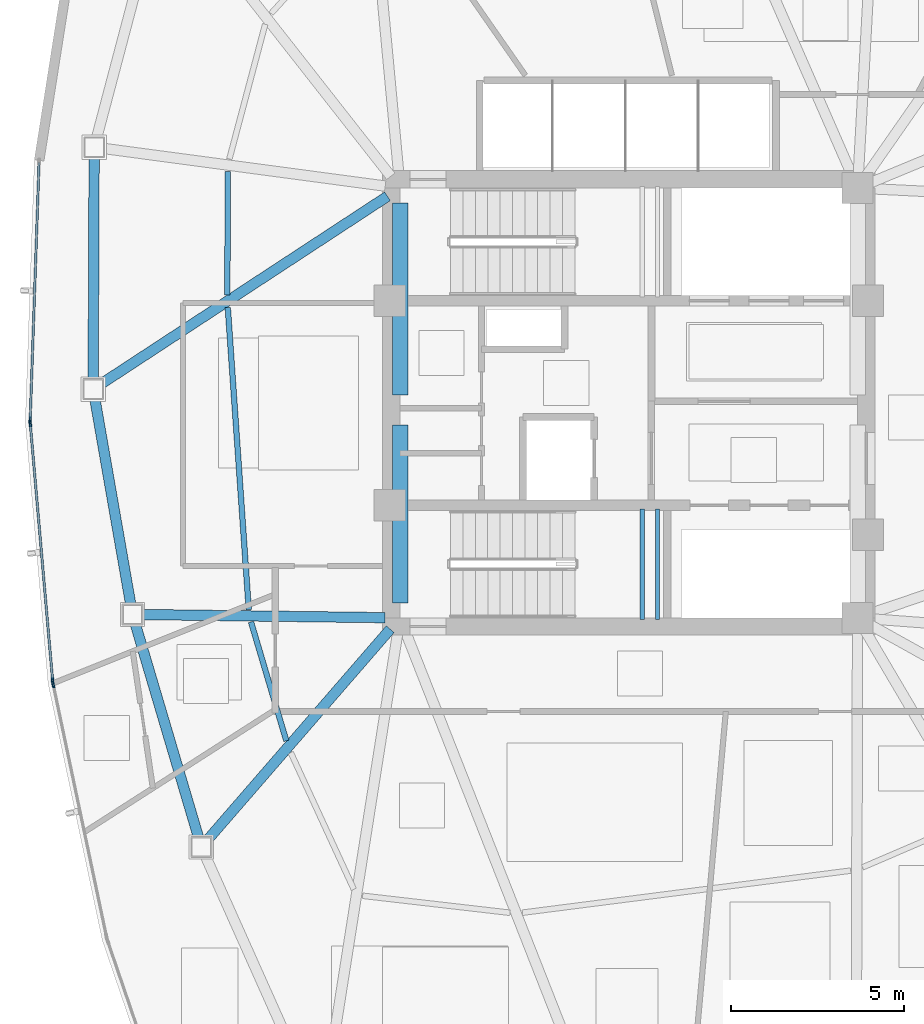
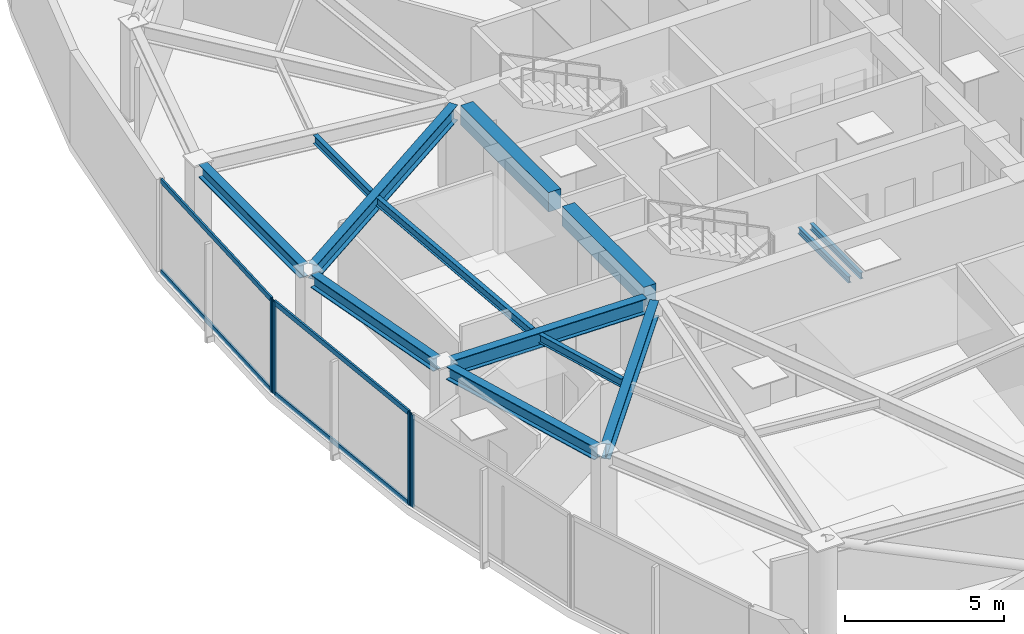
# One storey, part 4 of 17: 13 beams, 8 members, 3 elements without a shape of their own.
"""IFC4 building model written with IfcOpenShell, lengths in metres."""

from ifc_helpers import new_model, si_unit, direction, frame, origin, origin_2d, place, context, subcontext, project, spatial, rectangle, hollow_rectangle, i_section, extrude, source, transform, mapped, material, layer, layer_set, material_profile, profile_set, type_object, type_shapes, element, aggregate, save


model = new_model("IFC4")

# Units and contexts
model_context = context("Model", 3, precision=1e-05, world=origin(), true_north=direction((0.0, 1.0)))
body_context = subcontext(model_context, "Body", "Model", "MODEL_VIEW")
ifc_project = project(units=[si_unit("LENGTHUNIT", "METRE"), si_unit("AREAUNIT", "SQUARE_METRE"), si_unit("VOLUMEUNIT", "CUBIC_METRE"), si_unit("PLANEANGLEUNIT", "RADIAN"), si_unit("MASSUNIT", "GRAM", prefix="KILO")], contexts=[model_context])

# Site, building, storey
site_placement = place(None, origin())
site = spatial("IfcSite", under=ifc_project, at=site_placement, CompositionType="ELEMENT")
building_placement = place(site_placement, origin())
building = spatial("IfcBuilding", under=site, at=building_placement, Name="Tavelor Broadcast Tower", CompositionType="ELEMENT")
storey_placement = place(building_placement, frame((0.0, 0.0, 165.64990234375)))
storey = spatial("IfcBuildingStorey", under=building, at=storey_placement, Name="L39", CompositionType="ELEMENT", Elevation=165.64990234375)

# Beams
ifc_material_1 = material(Name="Concrete C40/50", Category="concrete")
ifc_material_profile_1 = material_profile(ifc_material_1, rectangle(XDim=0.449951171875, YDim=0.75, at=origin_2d()), Name="RC 450x750")
ifc_profile_set_1 = profile_set([ifc_material_profile_1], Name="Concrete C40/50")
beam_type_1 = type_object("IfcBeamType", Name="Basement Core Trim Beam 450x750", PredefinedType="BEAM", material=ifc_profile_set_1)
beam_1_placement = place(storey_placement, frame((43.39990234375, 45.23193359375, 3.175048828125), z_axis=(0.0, 1.0, 0.0), x_axis=(-1.0, 0.0, 0.0)))
element("IfcBeam", 1, at=beam_1_placement, inside=storey, type_object=beam_type_1, Name="L39 Core West-N Tie Girder", PredefinedType="BEAM", context=body_context, shape_type="SweptSolid", body=[
    extrude(rectangle(XDim=0.449951171875, YDim=0.75, at=origin_2d()), origin(), (0.0, 0.0, 1.0), 5.5361328125),
])
beam_2_placement = place(storey_placement, frame((43.39990234375, 39.23193359375, 3.175048828125), z_axis=(0.0, 1.0, 0.0), x_axis=(-1.0, 0.0, 0.0)))
element("IfcBeam", 2, at=beam_2_placement, inside=storey, type_object=beam_type_1, Name="L39 Core West-S Tie Girder", PredefinedType="BEAM", context=body_context, shape_type="SweptSolid", body=[
    extrude(rectangle(XDim=0.449951171875, YDim=0.75, at=origin_2d()), origin(), (0.0, 0.0, 1.0), 5.135986328125),
])
ifc_material_2 = material(Name="Steel S355", Category="steel")
ifc_material_profile_2 = material_profile(ifc_material_2, i_section(OverallWidth=0.159912109375, OverallDepth=0.330078125, WebThickness=0.007568359375, FlangeThickness=0.011474609375, at=origin_2d()), Name="IPE 330")
ifc_profile_set_2 = profile_set([ifc_material_profile_2], Name="Steel S355")
beam_type_2 = type_object("IfcBeamType", Name="Composite Floor Joist T4 IPE 330", PredefinedType="JOIST", material=ifc_profile_set_2)
beam_3_placement = place(storey_placement, frame((38.428955078125, 51.68310546875, 3.385009765625), z_axis=(-0.002943579799, -0.99999566766, 0.0), x_axis=(0.99999566766, -0.002943579799, 0.0)))
element("IfcBeam", 3, at=beam_3_placement, inside=storey, type_object=beam_type_2, Name="L39 Secondary Composite Floor Joist 03", PredefinedType="JOIST", context=body_context, shape_type="SweptSolid", body=[
    extrude(i_section(OverallWidth=0.159912109375, OverallDepth=0.330078125, WebThickness=0.007568359375, FlangeThickness=0.011474609375, at=origin_2d()), origin(), (0.0, 0.0, 1.0), 3.56640625),
])
beam_4_placement = place(storey_placement, frame((38.430419921875, 47.755126953125, 3.385009765625), z_axis=(0.069281460066, -0.997597152808, 0.0), x_axis=(0.997597152808, 0.069281460066, 0.0)))
element("IfcBeam", 4, at=beam_4_placement, inside=storey, type_object=beam_type_2, Name="L39 Secondary Composite Floor Joist 04", PredefinedType="JOIST", context=body_context, shape_type="SweptSolid", body=[
    extrude(i_section(OverallWidth=0.159912109375, OverallDepth=0.330078125, WebThickness=0.007568359375, FlangeThickness=0.011474609375, at=origin_2d()), origin(), (0.0, 0.0, 1.0), 8.7392578125),
])
beam_5_placement = place(storey_placement, frame((39.10009765625, 38.682861328125, 3.385009765625), z_axis=(0.284738295298, -0.958605290613, 0.0), x_axis=(0.958605290613, 0.284738295298, 0.0)))
element("IfcBeam", 5, at=beam_5_placement, inside=storey, type_object=beam_type_2, Name="L39 Secondary Composite Floor Joist 05", PredefinedType="JOIST", context=body_context, shape_type="SweptSolid", body=[
    extrude(i_section(OverallWidth=0.159912109375, OverallDepth=0.330078125, WebThickness=0.007568359375, FlangeThickness=0.011474609375, at=origin_2d()), origin(), (0.0, 0.0, 1.0), 3.58056640625),
])
ifc_material_profile_3 = material_profile(ifc_material_2, i_section(OverallWidth=0.300048828125, OverallDepth=0.5, WebThickness=0.014404296875, FlangeThickness=0.028076171875, at=origin_2d()), Name="HEB 500")
ifc_profile_set_3 = profile_set([ifc_material_profile_3], Name="Steel S355")
beam_type_3 = type_object("IfcBeamType", Name="Perimeter Spandrel Beam T4 HEB 500", PredefinedType="SPANDREL", material=ifc_profile_set_3)
beam_6_placement = place(storey_placement, frame((34.573974609375, 52.09130859375, 3.300048828125), z_axis=(-0.004117073981, -0.999991524815, 0.0), x_axis=(0.999991524815, -0.004117073981, 0.0)))
element("IfcBeam", 6, at=beam_6_placement, inside=storey, type_object=beam_type_3, Name="L39 Framed-Tube Ring Spandrel 03", PredefinedType="SPANDREL", context=body_context, shape_type="SweptSolid", body=[
    extrude(i_section(OverallWidth=0.300048828125, OverallDepth=0.5, WebThickness=0.014404296875, FlangeThickness=0.028076171875, at=origin_2d()), origin(), (0.0, 0.0, 1.0), 6.404296875),
])
beam_7_placement = place(storey_placement, frame((34.595947265625, 45.115478515625, 3.300048828125), z_axis=(0.171987908601, -0.985099060651, 0.0), x_axis=(0.985099060651, 0.171987908601, 0.0)))
element("IfcBeam", 7, at=beam_7_placement, inside=storey, type_object=beam_type_3, Name="L39 Framed-Tube Ring Spandrel 04", PredefinedType="SPANDREL", context=body_context, shape_type="SweptSolid", body=[
    extrude(i_section(OverallWidth=0.300048828125, OverallDepth=0.5, WebThickness=0.014404296875, FlangeThickness=0.028076171875, at=origin_2d()), origin(), (0.0, 0.0, 1.0), 6.021728515625),
])
beam_8_placement = place(storey_placement, frame((35.7626953125, 38.623779296875, 3.300048828125), z_axis=(0.283962764381, -0.958835308301, 0.0), x_axis=(0.958835308301, 0.283962764381, 0.0)))
element("IfcBeam", 8, at=beam_8_placement, inside=storey, type_object=beam_type_3, Name="L39 Framed-Tube Ring Spandrel 05", PredefinedType="SPANDREL", context=body_context, shape_type="SweptSolid", body=[
    extrude(i_section(OverallWidth=0.300048828125, OverallDepth=0.5, WebThickness=0.014404296875, FlangeThickness=0.028076171875, at=origin_2d()), origin(), (0.0, 0.0, 1.0), 6.421630859375),
])
ifc_material_profile_4 = material_profile(ifc_material_2, i_section(OverallWidth=0.300048828125, OverallDepth=0.590087890625, WebThickness=0.012939453125, FlangeThickness=0.02490234375, at=origin_2d()), Name="HEA 600")
ifc_profile_set_4 = profile_set([ifc_material_profile_4], Name="Steel S355")
beam_type_4 = type_object("IfcBeamType", Name="Radial Floor Girder T4 HEA 600", PredefinedType="BEAM", material=ifc_profile_set_4)
beam_9_placement = place(storey_placement, frame((43.038818359375, 50.963134765625, 3.255126953125), z_axis=(-0.83645565271, -0.548034616652, 0.0), x_axis=(0.548034616652, -0.83645565271, 0.0)))
element("IfcBeam", 9, at=beam_9_placement, inside=storey, type_object=beam_type_4, Name="L39 Radial Primary Floor Girder 04", PredefinedType="BEAM", context=body_context, shape_type="SweptSolid", body=[
    extrude(i_section(OverallWidth=0.300048828125, OverallDepth=0.590087890625, WebThickness=0.012939453125, FlangeThickness=0.02490234375, at=origin_2d()), origin(), (0.0, 0.0, 1.0), 9.86474609375),
])
beam_10_placement = place(storey_placement, frame((42.968017578125, 38.8056640625, 3.255126953125), z_axis=(-0.99991627243, 0.012940175006, 0.0), x_axis=(-0.012940175006, -0.99991627243, 0.0)))
element("IfcBeam", 10, at=beam_10_placement, inside=storey, type_object=beam_type_4, Name="L39 Radial Primary Floor Girder 05", PredefinedType="BEAM", context=body_context, shape_type="SweptSolid", body=[
    extrude(i_section(OverallWidth=0.300048828125, OverallDepth=0.590087890625, WebThickness=0.012939453125, FlangeThickness=0.02490234375, at=origin_2d()), origin(), (0.0, 0.0, 1.0), 6.99951171875),
])
beam_11_placement = place(storey_placement, frame((43.116943359375, 38.4736328125, 3.255126953125), z_axis=(-0.655167826376, -0.755483367972, 0.0), x_axis=(0.755483367972, -0.655167826376, 0.0)))
element("IfcBeam", 11, at=beam_11_placement, inside=storey, type_object=beam_type_4, Name="L39 Radial Primary Floor Girder 06", PredefinedType="BEAM", context=body_context, shape_type="SweptSolid", body=[
    extrude(i_section(OverallWidth=0.300048828125, OverallDepth=0.590087890625, WebThickness=0.012939453125, FlangeThickness=0.02490234375, at=origin_2d()), origin(), (0.0, 0.0, 1.0), 8.02880859375),
])
ifc_material_profile_5 = material_profile(ifc_material_2, i_section(OverallWidth=0.1201171875, OverallDepth=0.239990234375, WebThickness=0.006103515625, FlangeThickness=0.009765625, at=origin_2d()), Name="IPE 240")
ifc_profile_set_5 = profile_set([ifc_material_profile_5], Name="Steel S355")
beam_type_5 = type_object("IfcBeamType", Name="Stairwell Landing Support Trimmer Beam IPE240", PredefinedType="BEAM", material=ifc_profile_set_5)
for number, where, z_axis, x_axis, name in (
    (12, (50.385009765625, 38.760009765625, 1.610107421875), (0.0, 1.0, 0.0), (-1.0, 0.0, 0.0), "L39 Stair Landing Support Beam 325"),
    (13, (50.824951171875, 38.760009765625, 1.610107421875), (0.0, 1.0, 0.0), (-1.0, 0.0, 0.0), "L39 Stair Landing Support Beam 326"),
):
    element("IfcBeam", number, at=place(storey_placement, frame(where, z_axis=z_axis, x_axis=x_axis)), inside=storey, type_object=beam_type_5, Name=name, PredefinedType="BEAM", context=body_context, shape_type="SweptSolid", body=[
        extrude(i_section(OverallWidth=0.1201171875, OverallDepth=0.239990234375, WebThickness=0.006103515625, FlangeThickness=0.009765625, at=origin_2d()), origin(), (0.0, 0.0, 1.0), 3.179931640625),
    ])

# Curtain wall, member
ifc_material_3 = material(Name="Architectural Anodized Aluminium", Category="aluminium")
ifc_layer = layer(ifc_material_3, 0.18994140625)
ifc_layer_set = layer_set([ifc_layer], Name="Architectural Anodized Aluminium")
curtain_wall_type = type_object("IfcCurtainWallType", Name="Tower Mid-Zone Acoustic Curtain Wall CW03", PredefinedType="NOTDEFINED", material=ifc_layer_set)
curtain_wall_1_placement = place(storey_placement, origin())
curtain_wall_1 = element("IfcCurtainWall", 14, at=curtain_wall_1_placement, inside=storey, type_object=curtain_wall_type, Name="L39 Curtain Wall CW03 Run 409", PredefinedType="NOTDEFINED")
ifc_material_profile_6 = material_profile(ifc_material_3, hollow_rectangle(XDim=0.068115234375, YDim=0.18994140625, WallThickness=0.02197265625, at=origin_2d()), Name="RHS 68x190x22")
ifc_profile_set_6 = profile_set([ifc_material_profile_6], Name="Architectural Anodized Aluminium")
member_type_1 = type_object("IfcMemberType", Name="CW03 Extruded Aluminium Mullion 68x190", PredefinedType="MULLION", material=ifc_profile_set_6)
shared_shape_1 = source(origin(), body_context, "Body", "SweptSolid", [
    extrude(hollow_rectangle(XDim=0.068115234375, YDim=0.18994140625, WallThickness=0.02197265625, at=origin_2d()), origin(), (0.0, 0.0, 1.0), 3.550048828125),
])
type_shapes(member_type_1, [shared_shape_1])
member_1_placement = place(storey_placement, frame((32.72900390625, 44.50244140625, 0.0), z_axis=(0.0, 0.0, 1.0), x_axis=(0.99940577882, -0.034468670714, 0.0)))
member_1 = element("IfcMember", 15, at=member_1_placement, type_object=member_type_1, Name="CW03 mullion 2", PredefinedType="MULLION", context=body_context, shape_type="MappedRepresentation", body=[
    mapped(shared_shape_1, transform((0.0, 0.0, 0.0), scale=1.0)),
])

# Curtain wall, members
curtain_wall_2_placement = place(storey_placement, origin())
curtain_wall_2 = element("IfcCurtainWall", 16, at=curtain_wall_2_placement, inside=storey, type_object=curtain_wall_type, Name="L39 Curtain Wall CW03 Run 410", PredefinedType="NOTDEFINED")
member_2_placement = place(storey_placement, frame((32.7314453125, 44.404541015625, 0.0), z_axis=(0.0, 0.0, 1.0), x_axis=(0.996232605828, 0.086721364637, 0.0)))
member_2 = element("IfcMember", 17, at=member_2_placement, type_object=member_type_1, Name="CW03 mullion 1", PredefinedType="MULLION", context=body_context, shape_type="MappedRepresentation", body=[
    mapped(shared_shape_1, transform((0.0, 0.0, 0.0), scale=1.0)),
])
member_3_placement = place(storey_placement, frame((33.378173828125, 36.9755859375, 0.0), z_axis=(0.0, 0.0, 1.0), x_axis=(0.996232605828, 0.086721364637, 0.0)))
member_3 = element("IfcMember", 18, at=member_3_placement, type_object=member_type_1, Name="CW03 mullion 2", PredefinedType="MULLION", context=body_context, shape_type="MappedRepresentation", body=[
    mapped(shared_shape_1, transform((0.0, 0.0, 0.0), scale=1.0)),
])

# Curtain wall, member
curtain_wall_3_placement = place(storey_placement, origin())
curtain_wall_3 = element("IfcCurtainWall", 19, at=curtain_wall_3_placement, inside=storey, type_object=curtain_wall_type, Name="L39 Curtain Wall CW03 Run 411", PredefinedType="NOTDEFINED")
member_4_placement = place(storey_placement, frame((33.392578125, 36.878662109375, 0.0), z_axis=(0.0, 0.0, 1.0), x_axis=(0.978414644475, 0.206651357307, 0.0)))
member_4 = element("IfcMember", 20, at=member_4_placement, type_object=member_type_1, Name="CW03 mullion 1", PredefinedType="MULLION", context=body_context, shape_type="MappedRepresentation", body=[
    mapped(shared_shape_1, transform((0.0, 0.0, 0.0), scale=1.0)),
])
aggregate(curtain_wall_3, [member_4])

# Member
ifc_material_profile_7 = material_profile(ifc_material_3, hollow_rectangle(XDim=0.068115234375, YDim=0.18994140625, WallThickness=0.02197265625, at=origin_2d()), Name="RHS 68x190x22")
ifc_profile_set_7 = profile_set([ifc_material_profile_7], Name="Architectural Anodized Aluminium")
member_type_2 = type_object("IfcMemberType", Name="CW03 Extruded Aluminium Transom 68x190", PredefinedType="USERDEFINED", material=ifc_profile_set_7)
shared_shape_2 = source(origin(), body_context, "Body", "SweptSolid", [
    extrude(hollow_rectangle(XDim=0.068115234375, YDim=0.18994140625, WallThickness=0.02197265625, at=origin_2d()), origin(), (0.0, 0.0, 1.0), 7.404296875),
])
member_5_placement = place(storey_placement, frame((32.9853515625, 51.936279296875, 0.0341796875), z_axis=(-0.034456597622, -0.999406195138, 0.0), x_axis=(0.999406195138, -0.034456597622, 0.0)))
member_5 = element("IfcMember", 21, at=member_5_placement, type_object=member_type_2, Name="CW03 transom 1.1", ObjectType="TRANSOM", PredefinedType="USERDEFINED", context=body_context, shape_type="MappedRepresentation", body=[
    mapped(shared_shape_2, transform((0.0, 0.0, 0.0), scale=1.0)),
])

member_6_placement = place(storey_placement, frame((32.9853515625, 51.936279296875, 3.51611328125), z_axis=(-0.034456597622, -0.999406195138, 0.0), x_axis=(0.999406195138, -0.034456597622, 0.0)))
member_6 = element("IfcMember", 22, at=member_6_placement, type_object=member_type_2, Name="CW03 transom 1.2", ObjectType="TRANSOM", PredefinedType="USERDEFINED", context=body_context, shape_type="MappedRepresentation", body=[
    mapped(shared_shape_2, transform((0.0, 0.0, 0.0), scale=1.0)),
])

aggregate(curtain_wall_1, [member_1, member_5, member_6])

shared_shape_3 = source(origin(), body_context, "Body", "SweptSolid", [
    extrude(hollow_rectangle(XDim=0.068115234375, YDim=0.18994140625, WallThickness=0.02197265625, at=origin_2d()), origin(), (0.0, 0.0, 1.0), 7.389404296875),
])
type_shapes(member_type_2, [shared_shape_2, shared_shape_3])
member_7_placement = place(storey_placement, frame((32.734375, 44.370849609375, 0.0341796875), z_axis=(0.086727989797, -0.99623202909, 0.0), x_axis=(0.99623202909, 0.086727989797, 0.0)))
member_7 = element("IfcMember", 23, at=member_7_placement, type_object=member_type_2, Name="CW03 transom 1.1", ObjectType="TRANSOM", PredefinedType="USERDEFINED", context=body_context, shape_type="MappedRepresentation", body=[
    mapped(shared_shape_3, transform((0.0, 0.0, 0.0), scale=1.0)),
])

member_8_placement = place(storey_placement, frame((32.734375, 44.370849609375, 3.51611328125), z_axis=(0.086727989797, -0.99623202909, 0.0), x_axis=(0.99623202909, 0.086727989797, 0.0)))
member_8 = element("IfcMember", 24, at=member_8_placement, type_object=member_type_2, Name="CW03 transom 1.2", ObjectType="TRANSOM", PredefinedType="USERDEFINED", context=body_context, shape_type="MappedRepresentation", body=[
    mapped(shared_shape_3, transform((0.0, 0.0, 0.0), scale=1.0)),
])

aggregate(curtain_wall_2, [member_2, member_3, member_7, member_8])

save(model, "model.ifc")
